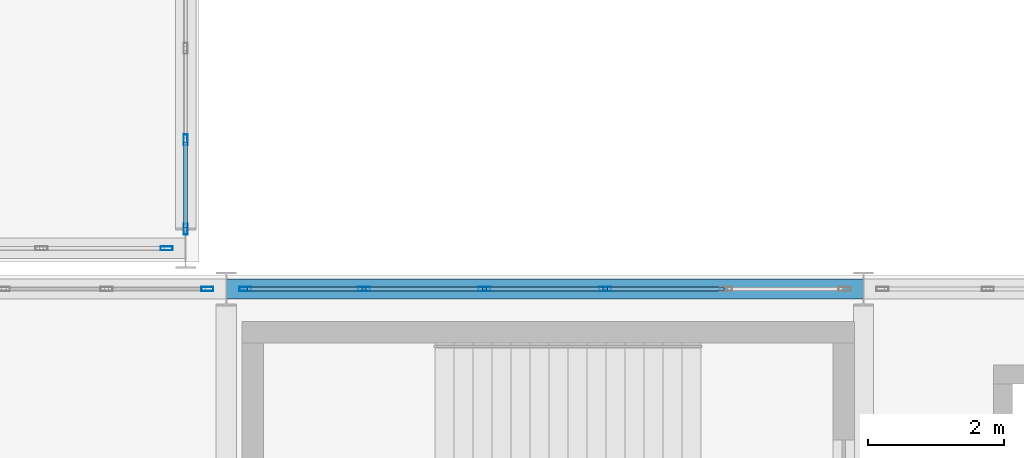
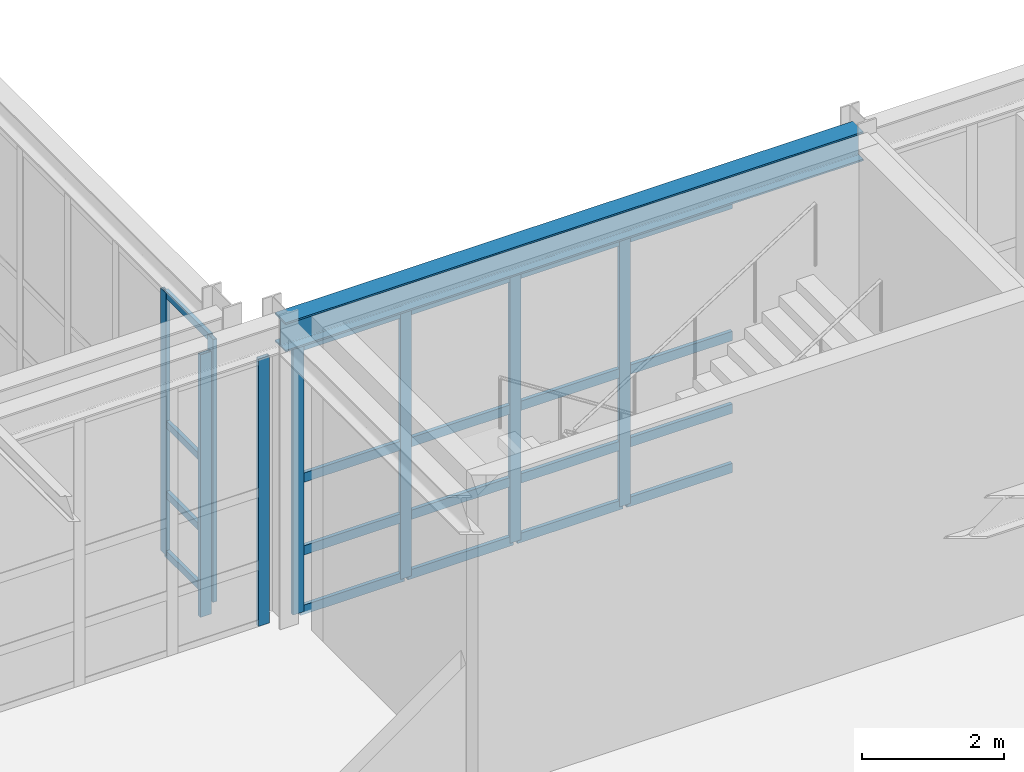
# One storey, part 98 of 210: 28 members, 1 beam, 4 elements without a shape of their own.
"""IFC4 building model written with IfcOpenShell, lengths in metres."""

from ifc_helpers import new_model, si_unit, direction, frame, origin, origin_2d, place, context, subcontext, project, spatial, hollow_rectangle, i_section, extrude, material, material_profile, profile_set, type_object, element, aggregate, save


model = new_model("IFC4")

# Units and contexts
model_context = context("Model", 3, precision=1e-05, world=origin(), true_north=direction((0.0, 1.0)))
body_context = subcontext(model_context, "Body", "Model", "MODEL_VIEW")
ifc_project = project(units=[si_unit("LENGTHUNIT", "METRE"), si_unit("AREAUNIT", "SQUARE_METRE"), si_unit("VOLUMEUNIT", "CUBIC_METRE"), si_unit("PLANEANGLEUNIT", "RADIAN"), si_unit("MASSUNIT", "GRAM", prefix="KILO")], contexts=[model_context])

# Site, building, storey
site_placement = place(None, origin())
site = spatial("IfcSite", under=ifc_project, at=site_placement, CompositionType="ELEMENT")
building_placement = place(site_placement, origin())
building = spatial("IfcBuilding", under=site, at=building_placement, Name="Kaldris Quays Convention Centre", CompositionType="ELEMENT")
storey_placement = place(building_placement, frame((0.0, 0.0, 6.0)))
storey = spatial("IfcBuildingStorey", under=building, at=storey_placement, Name="L01", CompositionType="ELEMENT", Elevation=6.0)

# Curtain wall, members
ifc_material_1 = material(Name="Anodized aluminium AW-6060 and triple glazing", Category="aluminium")
curtain_wall_type_1 = type_object("IfcCurtainWallType", Name="UNITISED CURTAIN WALL CW04", PredefinedType="NOTDEFINED", material=ifc_material_1)
curtain_wall_1_placement = place(storey_placement, origin())
curtain_wall_1 = element("IfcCurtainWall", 1, at=curtain_wall_1_placement, inside=storey, type_object=curtain_wall_type_1, Name="L01 Unitised Curtain Wall CW04 138", PredefinedType="NOTDEFINED")
ifc_material_2 = material(Name="Anodized aluminium AW-6060", Category="aluminium")
ifc_material_profile_1 = material_profile(ifc_material_2, hollow_rectangle(XDim=0.06005859375, YDim=0.159912109375, WallThickness=0.00390625, at=origin_2d()), Name="RHS 160x60x4")
ifc_profile_set_1 = profile_set([ifc_material_profile_1], Name="Anodized aluminium AW-6060")
member_type_1 = type_object("IfcMemberType", Name="CURTAIN MULLION CWM1", PredefinedType="MULLION", material=ifc_profile_set_1)
member_1_placement = place(storey_placement, frame((164.0, 38.280029296875, 0.0), z_axis=(0.0, 0.0, 1.0), x_axis=(-1.0, 0.0, 0.0)))
member_1 = element("IfcMember", 2, at=member_1_placement, type_object=member_type_1, Name="CW04 mullion 1", PredefinedType="MULLION", context=body_context, shape_type="SweptSolid", body=[
    extrude(hollow_rectangle(XDim=0.06005859375, YDim=0.159912109375, WallThickness=0.00390625, at=origin_2d()), origin(), (0.0, 0.0, 1.0), 4.51806640625),
])
member_2_placement = place(storey_placement, frame((164.0, 39.60009765625, 0.0), z_axis=(0.0, 0.0, 1.0), x_axis=(-1.0, 0.0, 0.0)))
member_2 = element("IfcMember", 3, at=member_2_placement, type_object=member_type_1, Name="CW04 mullion 2", PredefinedType="MULLION", context=body_context, shape_type="SweptSolid", body=[
    extrude(hollow_rectangle(XDim=0.06005859375, YDim=0.159912109375, WallThickness=0.00390625, at=origin_2d()), origin(), (0.0, 0.0, 1.0), 4.51806640625),
])

# Curtain wall, member
curtain_wall_type_2 = type_object("IfcCurtainWallType", Name="UNITISED CURTAIN WALL CW05", PredefinedType="NOTDEFINED", material=ifc_material_1)
curtain_wall_2_placement = place(storey_placement, origin())
curtain_wall_2 = element("IfcCurtainWall", 4, at=curtain_wall_2_placement, inside=storey, type_object=curtain_wall_type_2, Name="L01 Unitised Curtain Wall CW05 141", PredefinedType="NOTDEFINED")
ifc_material_profile_2 = material_profile(ifc_material_2, hollow_rectangle(XDim=0.06005859375, YDim=0.179931640625, WallThickness=0.0048828125, at=origin_2d()), Name="RHS 180x60x5")
ifc_profile_set_2 = profile_set([ifc_material_profile_2], Name="Anodized aluminium AW-6060")
member_type_2 = type_object("IfcMemberType", Name="CURTAIN MULLION CWM2", PredefinedType="MULLION", material=ifc_profile_set_2)
member_3_placement = place(storey_placement, frame((163.719970703125, 38.0, 0.0), z_axis=(0.0, 0.0, 1.0), x_axis=(0.0, 1.0, 0.0)))
member_3 = element("IfcMember", 5, at=member_3_placement, type_object=member_type_2, Name="CW05 mullion 10", PredefinedType="MULLION", context=body_context, shape_type="SweptSolid", body=[
    extrude(hollow_rectangle(XDim=0.06005859375, YDim=0.179931640625, WallThickness=0.0048828125, at=origin_2d()), origin(), (0.0, 0.0, 1.0), 4.51806640625),
])
aggregate(curtain_wall_2, [member_3])

curtain_wall_type_3 = type_object("IfcCurtainWallType", Name="UNITISED CURTAIN WALL CW02", PredefinedType="NOTDEFINED", material=ifc_material_1)
curtain_wall_3_placement = place(storey_placement, origin())
curtain_wall_3 = element("IfcCurtainWall", 6, at=curtain_wall_3_placement, inside=storey, type_object=curtain_wall_type_3, Name="L01 Unitised Curtain Wall CW02 186", PredefinedType="NOTDEFINED")
member_4_placement = place(storey_placement, frame((164.320068359375, 37.39990234375, 0.0), z_axis=(0.0, 0.0, 1.0), x_axis=(0.0, 1.0, 0.0)))
member_4 = element("IfcMember", 7, at=member_4_placement, type_object=member_type_2, Name="CW02 mullion 7", PredefinedType="MULLION", context=body_context, shape_type="SweptSolid", body=[
    extrude(hollow_rectangle(XDim=0.06005859375, YDim=0.179931640625, WallThickness=0.0048828125, at=origin_2d()), origin(), (0.0, 0.0, 1.0), 4.60009765625),
])
aggregate(curtain_wall_3, [member_4])

# Curtain wall, members
curtain_wall_4_placement = place(storey_placement, origin())
curtain_wall_4 = element("IfcCurtainWall", 8, at=curtain_wall_4_placement, inside=storey, type_object=curtain_wall_type_3, Name="L01 Unitised Curtain Wall CW02 188", PredefinedType="NOTDEFINED")
member_5_placement = place(storey_placement, frame((164.8798828125, 37.39990234375, 0.0), z_axis=(0.0, 0.0, 1.0), x_axis=(0.0, 1.0, 0.0)))
member_5 = element("IfcMember", 9, at=member_5_placement, type_object=member_type_2, Name="CW02 mullion 1", PredefinedType="MULLION", context=body_context, shape_type="SweptSolid", body=[
    extrude(hollow_rectangle(XDim=0.06005859375, YDim=0.179931640625, WallThickness=0.0048828125, at=origin_2d()), origin(), (0.0, 0.0, 1.0), 4.60009765625),
])
member_6_placement = place(storey_placement, frame((166.6298828125, 37.39990234375, 0.0), z_axis=(0.0, 0.0, 1.0), x_axis=(0.0, 1.0, 0.0)))
member_6 = element("IfcMember", 10, at=member_6_placement, type_object=member_type_2, Name="CW02 mullion 2", PredefinedType="MULLION", context=body_context, shape_type="SweptSolid", body=[
    extrude(hollow_rectangle(XDim=0.06005859375, YDim=0.179931640625, WallThickness=0.0048828125, at=origin_2d()), origin(), (0.0, 0.0, 1.0), 4.60009765625),
])
member_7_placement = place(storey_placement, frame((168.409912109375, 37.39990234375, 0.0), z_axis=(0.0, 0.0, 1.0), x_axis=(0.0, 1.0, 0.0)))
member_7 = element("IfcMember", 11, at=member_7_placement, type_object=member_type_2, Name="CW02 mullion 3", PredefinedType="MULLION", context=body_context, shape_type="SweptSolid", body=[
    extrude(hollow_rectangle(XDim=0.06005859375, YDim=0.179931640625, WallThickness=0.0048828125, at=origin_2d()), origin(), (0.0, 0.0, 1.0), 4.60009765625),
])
member_8_placement = place(storey_placement, frame((170.18994140625, 37.39990234375, 0.0), z_axis=(0.0, 0.0, 1.0), x_axis=(0.0, 1.0, 0.0)))
member_8 = element("IfcMember", 12, at=member_8_placement, type_object=member_type_2, Name="CW02 mullion 4", PredefinedType="MULLION", context=body_context, shape_type="SweptSolid", body=[
    extrude(hollow_rectangle(XDim=0.06005859375, YDim=0.179931640625, WallThickness=0.0048828125, at=origin_2d()), origin(), (0.0, 0.0, 1.0), 4.60009765625),
])

# Member
ifc_material_profile_3 = material_profile(ifc_material_2, hollow_rectangle(XDim=0.06005859375, YDim=0.1201171875, WallThickness=0.00390625, at=origin_2d()), Name="RHS 120x60x4")
ifc_profile_set_3 = profile_set([ifc_material_profile_3], Name="Anodized aluminium AW-6060")
member_type_3 = type_object("IfcMemberType", Name="CURTAIN TRANSOM CWT1", PredefinedType="USERDEFINED", material=ifc_profile_set_3)
member_9_placement = place(storey_placement, frame((164.0, 38.31005859375, 0.030029296875), z_axis=(0.0, 1.0, 0.0), x_axis=(-1.0, 0.0, 0.0)))
member_9 = element("IfcMember", 13, at=member_9_placement, type_object=member_type_3, Name="CW04 transom 1.1", ObjectType="TRANSOM", PredefinedType="USERDEFINED", context=body_context, shape_type="SweptSolid", body=[
    extrude(hollow_rectangle(XDim=0.06005859375, YDim=0.1201171875, WallThickness=0.00390625, at=origin_2d()), origin(), (0.0, 0.0, 1.0), 1.260009765625),
])

member_10_placement = place(storey_placement, frame((164.0, 38.31005859375, 1.050048828125), z_axis=(0.0, 1.0, 0.0), x_axis=(-1.0, 0.0, 0.0)))
member_10 = element("IfcMember", 14, at=member_10_placement, type_object=member_type_3, Name="CW04 transom 1.2", ObjectType="TRANSOM", PredefinedType="USERDEFINED", context=body_context, shape_type="SweptSolid", body=[
    extrude(hollow_rectangle(XDim=0.06005859375, YDim=0.1201171875, WallThickness=0.00390625, at=origin_2d()), origin(), (0.0, 0.0, 1.0), 1.260009765625),
])

member_11_placement = place(storey_placement, frame((164.0, 38.31005859375, 2.259033203125), z_axis=(0.0, 1.0, 0.0), x_axis=(-1.0, 0.0, 0.0)))
member_11 = element("IfcMember", 15, at=member_11_placement, type_object=member_type_3, Name="CW04 transom 1.3", ObjectType="TRANSOM", PredefinedType="USERDEFINED", context=body_context, shape_type="SweptSolid", body=[
    extrude(hollow_rectangle(XDim=0.06005859375, YDim=0.1201171875, WallThickness=0.00390625, at=origin_2d()), origin(), (0.0, 0.0, 1.0), 1.260009765625),
])

member_12_placement = place(storey_placement, frame((164.0, 38.31005859375, 4.488037109375), z_axis=(0.0, 1.0, 0.0), x_axis=(-1.0, 0.0, 0.0)))
member_12 = element("IfcMember", 16, at=member_12_placement, type_object=member_type_3, Name="CW04 transom 1.4", ObjectType="TRANSOM", PredefinedType="USERDEFINED", context=body_context, shape_type="SweptSolid", body=[
    extrude(hollow_rectangle(XDim=0.06005859375, YDim=0.1201171875, WallThickness=0.00390625, at=origin_2d()), origin(), (0.0, 0.0, 1.0), 1.260009765625),
])

aggregate(curtain_wall_1, [member_1, member_2, member_9, member_10, member_11, member_12])

ifc_material_profile_4 = material_profile(ifc_material_2, hollow_rectangle(XDim=0.06005859375, YDim=0.159912109375, WallThickness=0.00390625, at=origin_2d()), Name="RHS 160x60x4")
ifc_profile_set_4 = profile_set([ifc_material_profile_4], Name="Anodized aluminium AW-6060")
member_type_4 = type_object("IfcMemberType", Name="CURTAIN TRANSOM CWT2", PredefinedType="USERDEFINED", material=ifc_profile_set_4)
member_13_placement = place(storey_placement, frame((164.909912109375, 37.39990234375, 0.030029296875), z_axis=(1.0, 0.0, 0.0), x_axis=(0.0, 1.0, 0.0)))
member_13 = element("IfcMember", 17, at=member_13_placement, type_object=member_type_4, Name="CW02 transom 1.1", ObjectType="TRANSOM", PredefinedType="USERDEFINED", context=body_context, shape_type="SweptSolid", body=[
    extrude(hollow_rectangle(XDim=0.06005859375, YDim=0.159912109375, WallThickness=0.00390625, at=origin_2d()), origin(), (0.0, 0.0, 1.0), 1.690185546875),
])

member_14_placement = place(storey_placement, frame((164.909912109375, 37.39990234375, 1.050048828125), z_axis=(1.0, 0.0, 0.0), x_axis=(0.0, 1.0, 0.0)))
member_14 = element("IfcMember", 18, at=member_14_placement, type_object=member_type_4, Name="CW02 transom 1.2", ObjectType="TRANSOM", PredefinedType="USERDEFINED", context=body_context, shape_type="SweptSolid", body=[
    extrude(hollow_rectangle(XDim=0.06005859375, YDim=0.159912109375, WallThickness=0.00390625, at=origin_2d()), origin(), (0.0, 0.0, 1.0), 1.690185546875),
])

member_15_placement = place(storey_placement, frame((164.909912109375, 37.39990234375, 2.300048828125), z_axis=(1.0, 0.0, 0.0), x_axis=(0.0, 1.0, 0.0)))
member_15 = element("IfcMember", 19, at=member_15_placement, type_object=member_type_4, Name="CW02 transom 1.3", ObjectType="TRANSOM", PredefinedType="USERDEFINED", context=body_context, shape_type="SweptSolid", body=[
    extrude(hollow_rectangle(XDim=0.06005859375, YDim=0.159912109375, WallThickness=0.00390625, at=origin_2d()), origin(), (0.0, 0.0, 1.0), 1.690185546875),
])

member_16_placement = place(storey_placement, frame((164.909912109375, 37.39990234375, 4.570068359375), z_axis=(1.0, 0.0, 0.0), x_axis=(0.0, 1.0, 0.0)))
member_16 = element("IfcMember", 20, at=member_16_placement, type_object=member_type_4, Name="CW02 transom 1.4", ObjectType="TRANSOM", PredefinedType="USERDEFINED", context=body_context, shape_type="SweptSolid", body=[
    extrude(hollow_rectangle(XDim=0.06005859375, YDim=0.159912109375, WallThickness=0.00390625, at=origin_2d()), origin(), (0.0, 0.0, 1.0), 1.690185546875),
])

member_17_placement = place(storey_placement, frame((166.659912109375, 37.39990234375, 0.030029296875), z_axis=(1.0, 0.0, 0.0), x_axis=(0.0, 1.0, 0.0)))
member_17 = element("IfcMember", 21, at=member_17_placement, type_object=member_type_4, Name="CW02 transom 2.1", ObjectType="TRANSOM", PredefinedType="USERDEFINED", context=body_context, shape_type="SweptSolid", body=[
    extrude(hollow_rectangle(XDim=0.06005859375, YDim=0.159912109375, WallThickness=0.00390625, at=origin_2d()), origin(), (0.0, 0.0, 1.0), 1.719970703125),
])

member_18_placement = place(storey_placement, frame((166.659912109375, 37.39990234375, 1.050048828125), z_axis=(1.0, 0.0, 0.0), x_axis=(0.0, 1.0, 0.0)))
member_18 = element("IfcMember", 22, at=member_18_placement, type_object=member_type_4, Name="CW02 transom 2.2", ObjectType="TRANSOM", PredefinedType="USERDEFINED", context=body_context, shape_type="SweptSolid", body=[
    extrude(hollow_rectangle(XDim=0.06005859375, YDim=0.159912109375, WallThickness=0.00390625, at=origin_2d()), origin(), (0.0, 0.0, 1.0), 1.719970703125),
])

member_19_placement = place(storey_placement, frame((166.659912109375, 37.39990234375, 2.300048828125), z_axis=(1.0, 0.0, 0.0), x_axis=(0.0, 1.0, 0.0)))
member_19 = element("IfcMember", 23, at=member_19_placement, type_object=member_type_4, Name="CW02 transom 2.3", ObjectType="TRANSOM", PredefinedType="USERDEFINED", context=body_context, shape_type="SweptSolid", body=[
    extrude(hollow_rectangle(XDim=0.06005859375, YDim=0.159912109375, WallThickness=0.00390625, at=origin_2d()), origin(), (0.0, 0.0, 1.0), 1.719970703125),
])

member_20_placement = place(storey_placement, frame((166.659912109375, 37.39990234375, 4.570068359375), z_axis=(1.0, 0.0, 0.0), x_axis=(0.0, 1.0, 0.0)))
member_20 = element("IfcMember", 24, at=member_20_placement, type_object=member_type_4, Name="CW02 transom 2.4", ObjectType="TRANSOM", PredefinedType="USERDEFINED", context=body_context, shape_type="SweptSolid", body=[
    extrude(hollow_rectangle(XDim=0.06005859375, YDim=0.159912109375, WallThickness=0.00390625, at=origin_2d()), origin(), (0.0, 0.0, 1.0), 1.719970703125),
])

member_21_placement = place(storey_placement, frame((168.43994140625, 37.39990234375, 0.030029296875), z_axis=(1.0, 0.0, 0.0), x_axis=(0.0, 1.0, 0.0)))
member_21 = element("IfcMember", 25, at=member_21_placement, type_object=member_type_4, Name="CW02 transom 3.1", ObjectType="TRANSOM", PredefinedType="USERDEFINED", context=body_context, shape_type="SweptSolid", body=[
    extrude(hollow_rectangle(XDim=0.06005859375, YDim=0.159912109375, WallThickness=0.00390625, at=origin_2d()), origin(), (0.0, 0.0, 1.0), 1.719970703125),
])

member_22_placement = place(storey_placement, frame((168.43994140625, 37.39990234375, 1.050048828125), z_axis=(1.0, 0.0, 0.0), x_axis=(0.0, 1.0, 0.0)))
member_22 = element("IfcMember", 26, at=member_22_placement, type_object=member_type_4, Name="CW02 transom 3.2", ObjectType="TRANSOM", PredefinedType="USERDEFINED", context=body_context, shape_type="SweptSolid", body=[
    extrude(hollow_rectangle(XDim=0.06005859375, YDim=0.159912109375, WallThickness=0.00390625, at=origin_2d()), origin(), (0.0, 0.0, 1.0), 1.719970703125),
])

member_23_placement = place(storey_placement, frame((168.43994140625, 37.39990234375, 2.300048828125), z_axis=(1.0, 0.0, 0.0), x_axis=(0.0, 1.0, 0.0)))
member_23 = element("IfcMember", 27, at=member_23_placement, type_object=member_type_4, Name="CW02 transom 3.3", ObjectType="TRANSOM", PredefinedType="USERDEFINED", context=body_context, shape_type="SweptSolid", body=[
    extrude(hollow_rectangle(XDim=0.06005859375, YDim=0.159912109375, WallThickness=0.00390625, at=origin_2d()), origin(), (0.0, 0.0, 1.0), 1.719970703125),
])

member_24_placement = place(storey_placement, frame((168.43994140625, 37.39990234375, 4.570068359375), z_axis=(1.0, 0.0, 0.0), x_axis=(0.0, 1.0, 0.0)))
member_24 = element("IfcMember", 28, at=member_24_placement, type_object=member_type_4, Name="CW02 transom 3.4", ObjectType="TRANSOM", PredefinedType="USERDEFINED", context=body_context, shape_type="SweptSolid", body=[
    extrude(hollow_rectangle(XDim=0.06005859375, YDim=0.159912109375, WallThickness=0.00390625, at=origin_2d()), origin(), (0.0, 0.0, 1.0), 1.719970703125),
])

member_25_placement = place(storey_placement, frame((170.219970703125, 37.39990234375, 0.030029296875), z_axis=(1.0, 0.0, 0.0), x_axis=(0.0, 1.0, 0.0)))
member_25 = element("IfcMember", 29, at=member_25_placement, type_object=member_type_4, Name="CW02 transom 4.1", ObjectType="TRANSOM", PredefinedType="USERDEFINED", context=body_context, shape_type="SweptSolid", body=[
    extrude(hollow_rectangle(XDim=0.06005859375, YDim=0.159912109375, WallThickness=0.00390625, at=origin_2d()), origin(), (0.0, 0.0, 1.0), 1.719970703125),
])

member_26_placement = place(storey_placement, frame((170.219970703125, 37.39990234375, 1.050048828125), z_axis=(1.0, 0.0, 0.0), x_axis=(0.0, 1.0, 0.0)))
member_26 = element("IfcMember", 30, at=member_26_placement, type_object=member_type_4, Name="CW02 transom 4.2", ObjectType="TRANSOM", PredefinedType="USERDEFINED", context=body_context, shape_type="SweptSolid", body=[
    extrude(hollow_rectangle(XDim=0.06005859375, YDim=0.159912109375, WallThickness=0.00390625, at=origin_2d()), origin(), (0.0, 0.0, 1.0), 1.719970703125),
])

member_27_placement = place(storey_placement, frame((170.219970703125, 37.39990234375, 2.300048828125), z_axis=(1.0, 0.0, 0.0), x_axis=(0.0, 1.0, 0.0)))
member_27 = element("IfcMember", 31, at=member_27_placement, type_object=member_type_4, Name="CW02 transom 4.3", ObjectType="TRANSOM", PredefinedType="USERDEFINED", context=body_context, shape_type="SweptSolid", body=[
    extrude(hollow_rectangle(XDim=0.06005859375, YDim=0.159912109375, WallThickness=0.00390625, at=origin_2d()), origin(), (0.0, 0.0, 1.0), 1.719970703125),
])

member_28_placement = place(storey_placement, frame((170.219970703125, 37.39990234375, 4.570068359375), z_axis=(1.0, 0.0, 0.0), x_axis=(0.0, 1.0, 0.0)))
member_28 = element("IfcMember", 32, at=member_28_placement, type_object=member_type_4, Name="CW02 transom 4.4", ObjectType="TRANSOM", PredefinedType="USERDEFINED", context=body_context, shape_type="SweptSolid", body=[
    extrude(hollow_rectangle(XDim=0.06005859375, YDim=0.159912109375, WallThickness=0.00390625, at=origin_2d()), origin(), (0.0, 0.0, 1.0), 1.719970703125),
])

aggregate(curtain_wall_4, [member_5, member_6, member_7, member_8, member_13, member_14, member_15, member_16, member_17, member_18, member_19, member_20, member_21, member_22, member_23, member_24, member_25, member_26, member_27, member_28])

# Beam
ifc_material_3 = material(Name="Steel S355J2", Category="steel")
ifc_material_profile_5 = material_profile(ifc_material_3, i_section(OverallWidth=0.300048828125, OverallDepth=0.5, WebThickness=0.014404296875, FlangeThickness=0.028076171875, FilletRadius=0.027099609375, at=origin_2d()), Name="HEB 500")
ifc_profile_set_5 = profile_set([ifc_material_profile_5], Name="Steel S355J2")
beam_type = type_object("IfcBeamType", Name="STRUCTURAL BEAM BM06", PredefinedType="BEAM", material=ifc_profile_set_5)
beam_placement = place(storey_placement, frame((164.601318359375, 37.39990234375, 4.9130859375), z_axis=(1.0, 0.0, 0.0), x_axis=(0.0, 1.0, 0.0)))
element("IfcBeam", 33, at=beam_placement, inside=storey, type_object=beam_type, Name="L01 Girder BM06 12", PredefinedType="BEAM", context=body_context, shape_type="SweptSolid", body=[
    extrude(i_section(OverallWidth=0.300048828125, OverallDepth=0.5, WebThickness=0.014404296875, FlangeThickness=0.028076171875, FilletRadius=0.027099609375, at=origin_2d()), origin(), (0.0, 0.0, 1.0), 9.3974609375),
])

save(model, "model.ifc")
